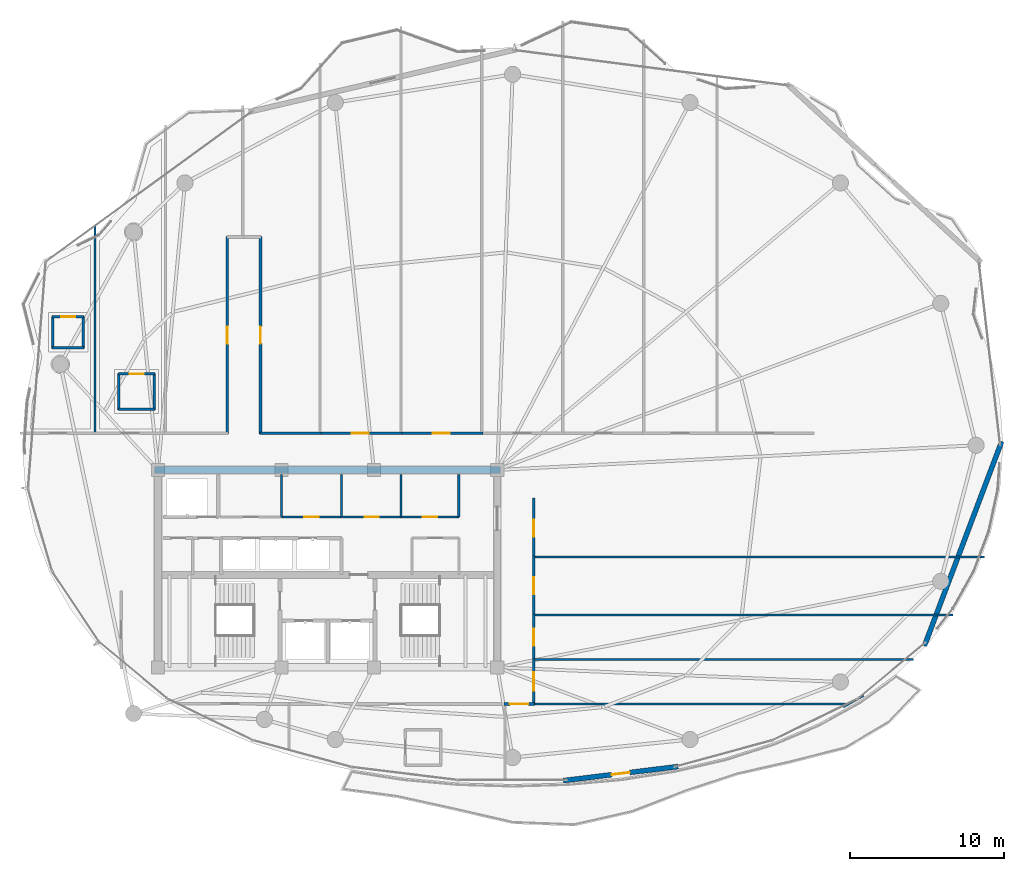
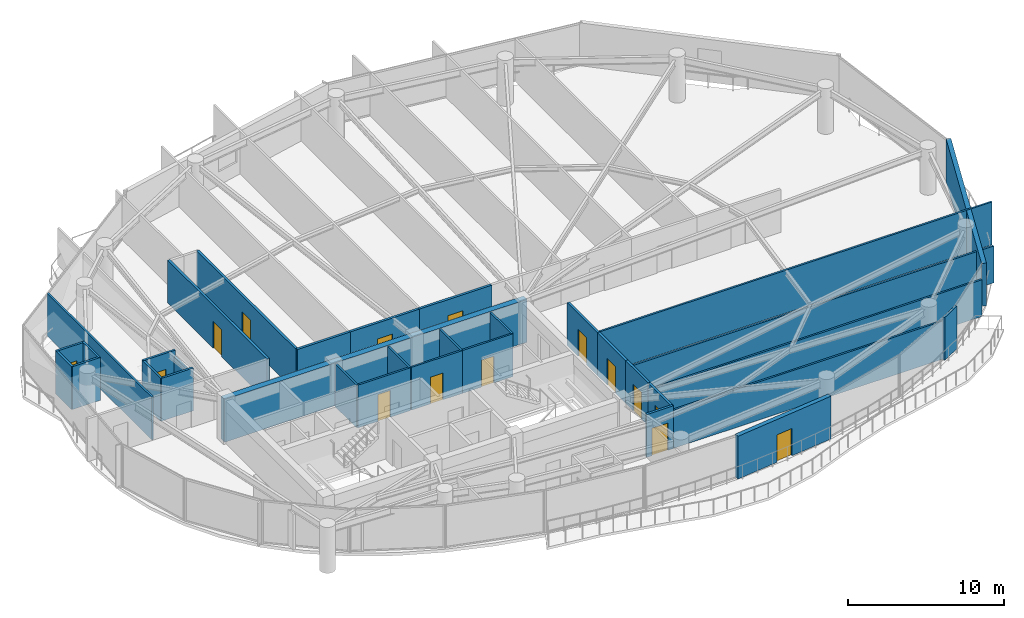
# One storey, part 26 of 31: 34 walls, 15 doors, 15 openings.
"""IFC4 building model written with IfcOpenShell, lengths in metres."""

from ifc_helpers import new_model, si_unit, direction, frame, frame_2d, origin, place, context, subcontext, project, spatial, rectangle, extrude, material, layer, layer_set, type_object, element, fill, save


model = new_model("IFC4")

# Units and contexts
model_context = context("Model", 3, precision=1e-05, world=origin(), true_north=direction((0.0, 1.0)))
body_context = subcontext(model_context, "Body", "Model", "MODEL_VIEW")
ifc_project = project(units=[si_unit("LENGTHUNIT", "METRE"), si_unit("AREAUNIT", "SQUARE_METRE"), si_unit("VOLUMEUNIT", "CUBIC_METRE"), si_unit("PLANEANGLEUNIT", "RADIAN"), si_unit("MASSUNIT", "GRAM", prefix="KILO")], contexts=[model_context])

# Site, building, storey
site_placement = place(None, origin())
site = spatial("IfcSite", under=ifc_project, at=site_placement, CompositionType="ELEMENT")
building_placement = place(site_placement, origin())
building = spatial("IfcBuilding", under=site, at=building_placement, Name="Kazevale Care Tower and Concert Hall", CompositionType="ELEMENT")
storey_placement = place(building_placement, frame((0.0, 0.0, 238.800048828125)))
storey = spatial("IfcBuildingStorey", under=building, at=storey_placement, Name="L63", CompositionType="ELEMENT", Elevation=238.800048828125)

# Wall, opening, door
ifc_material_1 = material(Name="Acoustic Gypsum on Steel Stud", Category="steel")
ifc_layer_1 = layer(ifc_material_1, 0.139892578125)
ifc_layer_set_1 = layer_set([ifc_layer_1], Name="Acoustic Gypsum on Steel Stud")
wall_type_1 = type_object("IfcWallType", Name="Acoustic Care & Suite Partition 140", PredefinedType="PARTITIONING", material=ifc_layer_set_1)
wall_1_placement = place(storey_placement, frame((30.0, 33.35009765625, 0.0), z_axis=(0.0, 0.0, 1.0), x_axis=(1.0, 0.0, 0.0)))
wall_1 = element("IfcWall", 1, at=wall_1_placement, inside=storey, type_object=wall_type_1, Name="wall:L63:c_rpl2_s", PredefinedType="PARTITIONING", context=body_context, shape_type="SweptSolid", body=[
    extrude(rectangle(XDim=3.919921875, YDim=0.139892578125, at=frame_2d((1.9599609375, 0.0))), origin(), (0.0, 0.0, 1.0), 3.35986328125),
])
opening_1_placement = place(wall_1_placement, frame((1.5, 0.0, 0.0)))
opening_1 = element("IfcOpeningElement", 2, at=opening_1_placement, cuts=wall_1, Name="Opening ID-900", PredefinedType="OPENING", context=body_context, shape_type="SweptSolid", body=[
    extrude(rectangle(XDim=0.919921875, YDim=2.10009765625, at=frame_2d((0.4599609375, 1.050048828125))), frame((0.0, 0.079833984375, 0.0), z_axis=(0.0, -1.0, 0.0), x_axis=(1.0, 0.0, 0.0)), (0.0, 0.0, 1.0), 0.159912109375),
])
ifc_material_2 = material(Name="Oak Timber Fire Leaf", Category="wood")
door_type_1 = type_object("IfcDoorType", Name="Bathroom & Service Door 920x2100", OperationType="NOTDEFINED", PredefinedType="DOOR", material=ifc_material_2)
door_1_placement = place(opening_1_placement, origin())
door_1 = element("IfcDoor", 3, at=door_1_placement, inside=storey, type_object=door_type_1, Name="door:L63:d_rpl2", OperationType="SINGLE_SWING_RIGHT", OverallHeight=2.10009765625, OverallWidth=0.919921875, PredefinedType="DOOR", context=body_context, shape_type="SweptSolid", body=[
    extrude(rectangle(XDim=0.919921875, YDim=2.10009765625, at=frame_2d((0.4599609375, 1.050048828125))), frame((0.0, 0.02490234375, 0.0), z_axis=(0.0, -1.0, 0.0), x_axis=(1.0, 0.0, 0.0)), (0.0, 0.0, 1.0), 0.050048828125),
])
fill(opening_1, door_1)

# Walls
for number, where, z_axis, x_axis, name in (
    (4, (30.0, 33.35009765625, 0.0), (0.0, 0.0, 1.0), (0.0, 1.0, 0.0), "wall:L63:c_rpl_m"),
    (5, (33.89990234375, 33.35009765625, 0.0), (0.0, 0.0, 1.0), (0.0, 1.0, 0.0), "wall:L63:c_rpl_e"),
):
    element("IfcWall", number, at=place(storey_placement, frame(where, z_axis=z_axis, x_axis=x_axis)), inside=storey, type_object=wall_type_1, Name=name, PredefinedType="PARTITIONING", context=body_context, shape_type="SweptSolid", body=[
        extrude(rectangle(XDim=2.75, YDim=0.139892578125, at=frame_2d((1.375, 0.0))), origin(), (0.0, 0.0, 1.0), 3.35986328125),
    ])

# Wall, opening, door
wall_2_placement = place(storey_placement, frame((33.97998046875, 33.35009765625, 0.0), z_axis=(0.0, 0.0, 1.0), x_axis=(1.0, 0.0, 0.0)))
wall_2 = element("IfcWall", 6, at=wall_2_placement, inside=storey, type_object=wall_type_1, Name="wall:L63:c_rpm1_s", PredefinedType="PARTITIONING", context=body_context, shape_type="SweptSolid", body=[
    extrude(rectangle(XDim=3.77001953125, YDim=0.139892578125, at=frame_2d((1.885009765625, 0.0))), origin(), (0.0, 0.0, 1.0), 3.35986328125),
])
opening_2_placement = place(wall_2_placement, frame((1.425048828125, 0.0, 0.0)))
opening_2 = element("IfcOpeningElement", 7, at=opening_2_placement, cuts=wall_2, Name="Opening ID-900", PredefinedType="OPENING", context=body_context, shape_type="SweptSolid", body=[
    extrude(rectangle(XDim=0.919921875, YDim=2.10009765625, at=frame_2d((0.4599609375, 1.050048828125))), frame((0.0, 0.079833984375, 0.0), z_axis=(0.0, -1.0, 0.0), x_axis=(1.0, 0.0, 0.0)), (0.0, 0.0, 1.0), 0.159912109375),
])
door_2_placement = place(opening_2_placement, origin())
door_2 = element("IfcDoor", 8, at=door_2_placement, inside=storey, type_object=door_type_1, Name="door:L63:d_rpm1", OperationType="SINGLE_SWING_LEFT", OverallHeight=2.10009765625, OverallWidth=0.919921875, PredefinedType="DOOR", context=body_context, shape_type="SweptSolid", body=[
    extrude(rectangle(XDim=0.919921875, YDim=2.10009765625, at=frame_2d((0.4599609375, 1.050048828125))), frame((0.0, 0.02490234375, 0.0), z_axis=(0.0, -1.0, 0.0), x_axis=(1.0, 0.0, 0.0)), (0.0, 0.0, 1.0), 0.050048828125),
])
fill(opening_2, door_2)

wall_3_placement = place(storey_placement, frame((37.75, 33.35009765625, 0.0), z_axis=(0.0, 0.0, 1.0), x_axis=(1.0, 0.0, 0.0)))
wall_3 = element("IfcWall", 9, at=wall_3_placement, inside=storey, type_object=wall_type_1, Name="wall:L63:c_rpm2_s", PredefinedType="PARTITIONING", context=body_context, shape_type="SweptSolid", body=[
    extrude(rectangle(XDim=3.77001953125, YDim=0.139892578125, at=frame_2d((1.885009765625, 0.0))), origin(), (0.0, 0.0, 1.0), 3.35986328125),
])
opening_3_placement = place(wall_3_placement, frame((1.425048828125, 0.0, 0.0)))
opening_3 = element("IfcOpeningElement", 10, at=opening_3_placement, cuts=wall_3, Name="Opening ID-900", PredefinedType="OPENING", context=body_context, shape_type="SweptSolid", body=[
    extrude(rectangle(XDim=0.919921875, YDim=2.10009765625, at=frame_2d((0.4599609375, 1.050048828125))), frame((0.0, 0.079833984375, 0.0), z_axis=(0.0, -1.0, 0.0), x_axis=(1.0, 0.0, 0.0)), (0.0, 0.0, 1.0), 0.159912109375),
])
door_3_placement = place(opening_3_placement, origin())
door_3 = element("IfcDoor", 11, at=door_3_placement, inside=storey, type_object=door_type_1, Name="door:L63:d_rpm2", OperationType="SINGLE_SWING_RIGHT", OverallHeight=2.10009765625, OverallWidth=0.919921875, PredefinedType="DOOR", context=body_context, shape_type="SweptSolid", body=[
    extrude(rectangle(XDim=0.919921875, YDim=2.10009765625, at=frame_2d((0.4599609375, 1.050048828125))), frame((0.0, 0.02490234375, 0.0), z_axis=(0.0, -1.0, 0.0), x_axis=(1.0, 0.0, 0.0)), (0.0, 0.0, 1.0), 0.050048828125),
])
fill(opening_3, door_3)

# Walls
for number, where, z_axis, x_axis, name in (
    (12, (37.75, 33.35009765625, 0.0), (0.0, 0.0, 1.0), (0.0, 1.0, 0.0), "wall:L63:c_rpm_m"),
    (13, (41.5, 33.35009765625, 0.0), (0.0, 0.0, 1.0), (0.0, 1.0, 0.0), "wall:L63:c_rpm_e"),
):
    element("IfcWall", number, at=place(storey_placement, frame(where, z_axis=z_axis, x_axis=x_axis)), inside=storey, type_object=wall_type_1, Name=name, PredefinedType="PARTITIONING", context=body_context, shape_type="SweptSolid", body=[
        extrude(rectangle(XDim=2.75, YDim=0.139892578125, at=frame_2d((1.375, 0.0))), origin(), (0.0, 0.0, 1.0), 3.35986328125),
    ])
wall_4_placement = place(storey_placement, frame((17.919921875, 52.222412109375, 0.0), z_axis=(0.0, 0.0, 1.0), x_axis=(0.0, -1.0, 0.0)))
element("IfcWall", 14, at=wall_4_placement, inside=storey, type_object=wall_type_1, Name="wall:L63:auto_023", PredefinedType="PARTITIONING", context=body_context, shape_type="SweptSolid", body=[
    extrude(rectangle(XDim=13.477294921875, YDim=0.139892578125, at=frame_2d((6.73876953125, 0.0))), origin(), (0.0, 0.0, 1.0), 3.35986328125),
])
wall_5_placement = place(storey_placement, frame((46.344970703125, 24.110107421875, 0.0), z_axis=(0.0, 0.0, 1.0), x_axis=(1.0, 0.0, 0.0)))
element("IfcWall", 15, at=wall_5_placement, inside=storey, type_object=wall_type_1, Name="wall:L63:auto_032", PredefinedType="PARTITIONING", context=body_context, shape_type="SweptSolid", body=[
    extrude(rectangle(XDim=24.655029296875, YDim=0.139892578125, at=frame_2d((12.32763671875, 0.0))), origin(), (0.0, 0.0, 1.0), 2.889892578125),
])
wall_6_placement = place(storey_placement, frame((66.683837890625, 21.22509765625, 0.0), z_axis=(0.0, 0.0, 1.0), x_axis=(-1.0, 0.0, 0.0)))
element("IfcWall", 16, at=wall_6_placement, inside=storey, type_object=wall_type_1, Name="wall:L63:auto_033", PredefinedType="PARTITIONING", context=body_context, shape_type="SweptSolid", body=[
    extrude(rectangle(XDim=20.3388671875, YDim=0.139892578125, at=frame_2d((10.16943359375, 0.0))), origin(), (0.0, 0.0, 1.0), 2.995849609375),
])
wall_7_placement = place(storey_placement, frame((67.748046875, 21.77001953125, 0.0), z_axis=(0.0, 0.0, 1.0), x_axis=(-0.871352238731, -0.490658003153, 0.0)))
element("IfcWall", 17, at=wall_7_placement, inside=storey, type_object=wall_type_1, Name="wall:L63:auto_034", PredefinedType="PARTITIONING", context=body_context, shape_type="SweptSolid", body=[
    extrude(rectangle(XDim=1.48974609375, YDim=0.139892578125, at=frame_2d((0.744873046875, 0.0))), origin(), (0.0, 0.0, 1.0), 3.35986328125),
])
wall_8_placement = place(storey_placement, frame((46.344970703125, 27.0, 0.0), z_axis=(0.0, 0.0, 1.0), x_axis=(1.0, 0.0, 0.0)))
element("IfcWall", 18, at=wall_8_placement, inside=storey, type_object=wall_type_1, Name="wall:L63:auto_035", PredefinedType="PARTITIONING", context=body_context, shape_type="SweptSolid", body=[
    extrude(rectangle(XDim=27.208984375, YDim=0.139892578125, at=frame_2d((13.6044921875, 0.0))), origin(), (0.0, 0.0, 1.0), 2.889892578125),
])
wall_9_placement = place(storey_placement, frame((46.344970703125, 30.75, 0.0), z_axis=(0.0, 0.0, 1.0), x_axis=(1.0, 0.0, 0.0)))
element("IfcWall", 19, at=wall_9_placement, inside=storey, type_object=wall_type_1, Name="wall:L63:auto_036", PredefinedType="PARTITIONING", context=body_context, shape_type="SweptSolid", body=[
    extrude(rectangle(XDim=29.237060546875, YDim=0.139892578125, at=frame_2d((14.61865234375, 0.0))), origin(), (0.0, 0.0, 1.0), 3.35986328125),
])
ifc_material_3 = material(Name="Concrete C50", Category="concrete")
ifc_layer_2 = layer(ifc_material_3, 0.449951171875)
ifc_layer_set_2 = layer_set([ifc_layer_2], Name="Concrete C50")
wall_type_2 = type_object("IfcWallType", Name="Core Shear Wall 450 C50", PredefinedType="SHEAR", material=ifc_layer_set_2)
wall_10_placement = place(storey_placement, frame((21.77490234375, 36.39990234375, 0.0), z_axis=(0.0, 0.0, 1.0), x_axis=(1.0, 0.0, 0.0)))
element("IfcWall", 20, at=wall_10_placement, inside=storey, type_object=wall_type_2, Name="wall:L63:core:N", PredefinedType="SHEAR", context=body_context, shape_type="SweptSolid", body=[
    extrude(rectangle(XDim=22.4501953125, YDim=0.449951171875, at=frame_2d((11.22509765625, 0.0))), origin(), (0.0, 0.0, 1.0), 3.35986328125),
])

# Wall, opening, door
ifc_material_4 = material(Name="Concrete C40 and Acoustic Gypsum", Category="concrete")
ifc_layer_3 = layer(ifc_material_4, 0.179931640625)
ifc_layer_set_3 = layer_set([ifc_layer_3], Name="Concrete C40 and Acoustic Gypsum")
wall_type_3 = type_object("IfcWallType", Name="Fire-Rated Corridor & Party Wall 180", PredefinedType="PARTITIONING", material=ifc_layer_set_3)
wall_11_placement = place(storey_placement, frame((26.5, 38.7451171875, 0.0), z_axis=(0.0, 0.0, 1.0), x_axis=(0.0, 1.0, 0.0)))
wall_11 = element("IfcWall", 21, at=wall_11_placement, inside=storey, type_object=wall_type_3, Name="wall:L63:auto_003", PredefinedType="PARTITIONING", context=body_context, shape_type="SweptSolid", body=[
    extrude(rectangle(XDim=12.784912109375, YDim=0.179931640625, at=frame_2d((6.392578125, 0.0))), origin(), (0.0, 0.0, 1.0), 3.35986328125),
])
opening_4_placement = place(wall_11_placement, frame((5.843017578125, 0.0, 0.0)))
opening_4 = element("IfcOpeningElement", 22, at=opening_4_placement, cuts=wall_11, Name="Opening ID-1100", PredefinedType="OPENING", context=body_context, shape_type="SweptSolid", body=[
    extrude(rectangle(XDim=1.10009765625, YDim=2.10009765625, at=frame_2d((0.550048828125, 1.050048828125))), frame((0.0, 0.099853515625, 0.0), z_axis=(0.0, -1.0, 0.0), x_axis=(1.0, 0.0, 0.0)), (0.0, 0.0, 1.0), 0.199951171875),
])
door_type_2 = type_object("IfcDoorType", Name="Care Bedroom Accessible Door 1100x2100", OperationType="NOTDEFINED", PredefinedType="DOOR", material=ifc_material_2)
door_4_placement = place(opening_4_placement, origin())
door_4 = element("IfcDoor", 23, at=door_4_placement, inside=storey, type_object=door_type_2, Name="door:L63:ad_003", OperationType="SINGLE_SWING_LEFT", OverallHeight=2.10009765625, OverallWidth=1.10009765625, PredefinedType="DOOR", context=body_context, shape_type="SweptSolid", body=[
    extrude(rectangle(XDim=1.10009765625, YDim=2.10009765625, at=frame_2d((0.550048828125, 1.050048828125))), frame((0.0, 0.02490234375, 0.0), z_axis=(0.0, -1.0, 0.0), x_axis=(1.0, 0.0, 0.0)), (0.0, 0.0, 1.0), 0.050048828125),
])
fill(opening_4, door_4)

wall_12_placement = place(storey_placement, frame((28.64990234375, 51.530029296875, 0.0), z_axis=(0.0, 0.0, 1.0), x_axis=(0.0, -1.0, 0.0)))
wall_12 = element("IfcWall", 24, at=wall_12_placement, inside=storey, type_object=wall_type_3, Name="wall:L63:auto_006", PredefinedType="PARTITIONING", context=body_context, shape_type="SweptSolid", body=[
    extrude(rectangle(XDim=12.784912109375, YDim=0.179931640625, at=frame_2d((6.392578125, 0.0))), origin(), (0.0, 0.0, 1.0), 3.35986328125),
])
opening_5_placement = place(wall_12_placement, frame((5.843017578125, 0.0, 0.0)))
opening_5 = element("IfcOpeningElement", 25, at=opening_5_placement, cuts=wall_12, Name="Opening ID-1100", PredefinedType="OPENING", context=body_context, shape_type="SweptSolid", body=[
    extrude(rectangle(XDim=1.10009765625, YDim=2.10009765625, at=frame_2d((0.550048828125, 1.050048828125))), frame((0.0, 0.099853515625, 0.0), z_axis=(0.0, -1.0, 0.0), x_axis=(1.0, 0.0, 0.0)), (0.0, 0.0, 1.0), 0.199951171875),
])
door_5_placement = place(opening_5_placement, origin())
door_5 = element("IfcDoor", 26, at=door_5_placement, inside=storey, type_object=door_type_2, Name="door:L63:ad_006", OperationType="SINGLE_SWING_LEFT", OverallHeight=2.10009765625, OverallWidth=1.10009765625, PredefinedType="DOOR", context=body_context, shape_type="SweptSolid", body=[
    extrude(rectangle(XDim=1.10009765625, YDim=2.10009765625, at=frame_2d((0.550048828125, 1.050048828125))), frame((0.0, 0.02490234375, 0.0), z_axis=(0.0, -1.0, 0.0), x_axis=(1.0, 0.0, 0.0)), (0.0, 0.0, 1.0), 0.050048828125),
])
fill(opening_5, door_5)

# Wall
wall_13_placement = place(storey_placement, frame((28.6201171875, 38.77490234375, 0.0), z_axis=(0.0, 0.0, 1.0), x_axis=(1.0, 0.0, 0.0)))
element("IfcWall", 27, at=wall_13_placement, inside=storey, type_object=wall_type_3, Name="wall:L63:auto_007", PredefinedType="PARTITIONING", context=body_context, shape_type="SweptSolid", body=[
    extrude(rectangle(XDim=3.94482421875, YDim=0.179931640625, at=frame_2d((1.972412109375, 0.0))), origin(), (0.0, 0.0, 1.0), 3.35986328125),
])

# Wall, opening, door
wall_14_placement = place(storey_placement, frame((32.43505859375, 38.77490234375, 0.0), z_axis=(0.0, 0.0, 1.0), x_axis=(1.0, 0.0, 0.0)))
wall_14 = element("IfcWall", 28, at=wall_14_placement, inside=storey, type_object=wall_type_3, Name="wall:L63:auto_009", PredefinedType="PARTITIONING", context=body_context, shape_type="SweptSolid", body=[
    extrude(rectangle(XDim=5.3798828125, YDim=0.179931640625, at=frame_2d((2.68994140625, 0.0))), origin(), (0.0, 0.0, 1.0), 3.35986328125),
])
opening_6_placement = place(wall_14_placement, frame((2.139892578125, 0.0, 0.0)))
opening_6 = element("IfcOpeningElement", 29, at=opening_6_placement, cuts=wall_14, Name="Opening ID-1100", PredefinedType="OPENING", context=body_context, shape_type="SweptSolid", body=[
    extrude(rectangle(XDim=1.10009765625, YDim=2.10009765625, at=frame_2d((0.550048828125, 1.050048828125))), frame((0.0, 0.099853515625, 0.0), z_axis=(0.0, -1.0, 0.0), x_axis=(1.0, 0.0, 0.0)), (0.0, 0.0, 1.0), 0.199951171875),
])
door_6_placement = place(opening_6_placement, origin())
door_6 = element("IfcDoor", 30, at=door_6_placement, inside=storey, type_object=door_type_2, Name="door:L63:ad_009", OperationType="SINGLE_SWING_LEFT", OverallHeight=2.10009765625, OverallWidth=1.10009765625, PredefinedType="DOOR", context=body_context, shape_type="SweptSolid", body=[
    extrude(rectangle(XDim=1.10009765625, YDim=2.10009765625, at=frame_2d((0.550048828125, 1.050048828125))), frame((0.0, 0.02490234375, 0.0), z_axis=(0.0, -1.0, 0.0), x_axis=(1.0, 0.0, 0.0)), (0.0, 0.0, 1.0), 0.050048828125),
])
fill(opening_6, door_6)

wall_15_placement = place(storey_placement, frame((37.68505859375, 38.77490234375, 0.0), z_axis=(0.0, 0.0, 1.0), x_axis=(1.0, 0.0, 0.0)))
wall_15 = element("IfcWall", 31, at=wall_15_placement, inside=storey, type_object=wall_type_3, Name="wall:L63:auto_010", PredefinedType="PARTITIONING", context=body_context, shape_type="SweptSolid", body=[
    extrude(rectangle(XDim=5.3798828125, YDim=0.179931640625, at=frame_2d((2.68994140625, 0.0))), origin(), (0.0, 0.0, 1.0), 3.35986328125),
])
opening_7_placement = place(wall_15_placement, frame((2.139892578125, 0.0, 0.0)))
opening_7 = element("IfcOpeningElement", 32, at=opening_7_placement, cuts=wall_15, Name="Opening ID-1100", PredefinedType="OPENING", context=body_context, shape_type="SweptSolid", body=[
    extrude(rectangle(XDim=1.10009765625, YDim=2.10009765625, at=frame_2d((0.550048828125, 1.050048828125))), frame((0.0, 0.099853515625, 0.0), z_axis=(0.0, -1.0, 0.0), x_axis=(1.0, 0.0, 0.0)), (0.0, 0.0, 1.0), 0.199951171875),
])
door_7_placement = place(opening_7_placement, origin())
door_7 = element("IfcDoor", 33, at=door_7_placement, inside=storey, type_object=door_type_2, Name="door:L63:ad_010", OperationType="SINGLE_SWING_LEFT", OverallHeight=2.10009765625, OverallWidth=1.10009765625, PredefinedType="DOOR", context=body_context, shape_type="SweptSolid", body=[
    extrude(rectangle(XDim=1.10009765625, YDim=2.10009765625, at=frame_2d((0.550048828125, 1.050048828125))), frame((0.0, 0.02490234375, 0.0), z_axis=(0.0, -1.0, 0.0), x_axis=(1.0, 0.0, 0.0)), (0.0, 0.0, 1.0), 0.050048828125),
])
fill(opening_7, door_7)

wall_16_placement = place(storey_placement, frame((46.375, 24.175048828125, 0.0), z_axis=(0.0, 0.0, 1.0), x_axis=(0.0, -1.0, 0.0)))
wall_16 = element("IfcWall", 34, at=wall_16_placement, inside=storey, type_object=wall_type_3, Name="wall:L63:auto_015", PredefinedType="PARTITIONING", context=body_context, shape_type="SweptSolid", body=[
    extrude(rectangle(XDim=2.97998046875, YDim=0.179931640625, at=frame_2d((1.489990234375, 0.0))), origin(), (0.0, 0.0, 1.0), 3.35986328125),
])
opening_8_placement = place(wall_16_placement, frame((0.889892578125, 0.0, 0.0)))
opening_8 = element("IfcOpeningElement", 35, at=opening_8_placement, cuts=wall_16, Name="Opening ID-1200", PredefinedType="OPENING", context=body_context, shape_type="SweptSolid", body=[
    extrude(rectangle(XDim=1.199951171875, YDim=2.14990234375, at=frame_2d((0.60009765625, 1.074951171875))), frame((0.0, 0.099853515625, 0.0), z_axis=(0.0, -1.0, 0.0), x_axis=(1.0, 0.0, 0.0)), (0.0, 0.0, 1.0), 0.199951171875),
])
door_type_3 = type_object("IfcDoorType", Name="Clinical & Therapy Door 1200x2150", OperationType="NOTDEFINED", PredefinedType="DOOR", material=ifc_material_2)
door_8_placement = place(opening_8_placement, origin())
door_8 = element("IfcDoor", 36, at=door_8_placement, inside=storey, type_object=door_type_3, Name="door:L63:ad_015", OperationType="SINGLE_SWING_LEFT", OverallHeight=2.14990234375, OverallWidth=1.199951171875, PredefinedType="DOOR", context=body_context, shape_type="SweptSolid", body=[
    extrude(rectangle(XDim=1.199951171875, YDim=2.14990234375, at=frame_2d((0.60009765625, 1.074951171875))), frame((0.0, 0.02490234375, 0.0), z_axis=(0.0, -1.0, 0.0), x_axis=(1.0, 0.0, 0.0)), (0.0, 0.0, 1.0), 0.050048828125),
])
fill(opening_8, door_8)

wall_17_placement = place(storey_placement, frame((46.375, 27.06494140625, 0.0), z_axis=(0.0, 0.0, 1.0), x_axis=(0.0, -1.0, 0.0)))
wall_17 = element("IfcWall", 37, at=wall_17_placement, inside=storey, type_object=wall_type_3, Name="wall:L63:auto_016", PredefinedType="PARTITIONING", context=body_context, shape_type="SweptSolid", body=[
    extrude(rectangle(XDim=3.02001953125, YDim=0.179931640625, at=frame_2d((1.510009765625, 0.0))), origin(), (0.0, 0.0, 1.0), 3.35986328125),
])
opening_9_placement = place(wall_17_placement, frame((0.9599609375, 0.0, 0.0)))
opening_9 = element("IfcOpeningElement", 38, at=opening_9_placement, cuts=wall_17, Name="Opening ID-1100", PredefinedType="OPENING", context=body_context, shape_type="SweptSolid", body=[
    extrude(rectangle(XDim=1.10009765625, YDim=2.10009765625, at=frame_2d((0.550048828125, 1.050048828125))), frame((0.0, 0.099853515625, 0.0), z_axis=(0.0, -1.0, 0.0), x_axis=(1.0, 0.0, 0.0)), (0.0, 0.0, 1.0), 0.199951171875),
])
door_9_placement = place(opening_9_placement, origin())
door_9 = element("IfcDoor", 39, at=door_9_placement, inside=storey, type_object=door_type_2, Name="door:L63:ad_016", OperationType="SINGLE_SWING_LEFT", OverallHeight=2.10009765625, OverallWidth=1.10009765625, PredefinedType="DOOR", context=body_context, shape_type="SweptSolid", body=[
    extrude(rectangle(XDim=1.10009765625, YDim=2.10009765625, at=frame_2d((0.550048828125, 1.050048828125))), frame((0.0, 0.02490234375, 0.0), z_axis=(0.0, -1.0, 0.0), x_axis=(1.0, 0.0, 0.0)), (0.0, 0.0, 1.0), 0.050048828125),
])
fill(opening_9, door_9)

wall_18_placement = place(storey_placement, frame((46.375, 30.81494140625, 0.0), z_axis=(0.0, 0.0, 1.0), x_axis=(0.0, -1.0, 0.0)))
wall_18 = element("IfcWall", 40, at=wall_18_placement, inside=storey, type_object=wall_type_3, Name="wall:L63:auto_017", PredefinedType="PARTITIONING", context=body_context, shape_type="SweptSolid", body=[
    extrude(rectangle(XDim=3.8798828125, YDim=0.179931640625, at=frame_2d((1.93994140625, 0.0))), origin(), (0.0, 0.0, 1.0), 3.35986328125),
])
opening_10_placement = place(wall_18_placement, frame((1.389892578125, 0.0, 0.0)))
opening_10 = element("IfcOpeningElement", 41, at=opening_10_placement, cuts=wall_18, Name="Opening ID-1100", PredefinedType="OPENING", context=body_context, shape_type="SweptSolid", body=[
    extrude(rectangle(XDim=1.10009765625, YDim=2.10009765625, at=frame_2d((0.550048828125, 1.050048828125))), frame((0.0, 0.099853515625, 0.0), z_axis=(0.0, -1.0, 0.0), x_axis=(1.0, 0.0, 0.0)), (0.0, 0.0, 1.0), 0.199951171875),
])
door_10_placement = place(opening_10_placement, origin())
door_10 = element("IfcDoor", 42, at=door_10_placement, inside=storey, type_object=door_type_2, Name="door:L63:ad_017", OperationType="SINGLE_SWING_LEFT", OverallHeight=2.10009765625, OverallWidth=1.10009765625, PredefinedType="DOOR", context=body_context, shape_type="SweptSolid", body=[
    extrude(rectangle(XDim=1.10009765625, YDim=2.10009765625, at=frame_2d((0.550048828125, 1.050048828125))), frame((0.0, 0.02490234375, 0.0), z_axis=(0.0, -1.0, 0.0), x_axis=(1.0, 0.0, 0.0)), (0.0, 0.0, 1.0), 0.050048828125),
])
fill(opening_10, door_10)

wall_19_placement = place(storey_placement, frame((46.375, 34.56494140625, 0.0), z_axis=(0.0, 0.0, 1.0), x_axis=(0.0, -1.0, 0.0)))
wall_19 = element("IfcWall", 43, at=wall_19_placement, inside=storey, type_object=wall_type_3, Name="wall:L63:auto_018", PredefinedType="PARTITIONING", context=body_context, shape_type="SweptSolid", body=[
    extrude(rectangle(XDim=3.8798828125, YDim=0.179931640625, at=frame_2d((1.93994140625, 0.0))), origin(), (0.0, 0.0, 1.0), 3.35986328125),
])
opening_11_placement = place(wall_19_placement, frame((1.389892578125, 0.0, 0.0)))
opening_11 = element("IfcOpeningElement", 44, at=opening_11_placement, cuts=wall_19, Name="Opening ID-1100", PredefinedType="OPENING", context=body_context, shape_type="SweptSolid", body=[
    extrude(rectangle(XDim=1.10009765625, YDim=2.10009765625, at=frame_2d((0.550048828125, 1.050048828125))), frame((0.0, 0.099853515625, 0.0), z_axis=(0.0, -1.0, 0.0), x_axis=(1.0, 0.0, 0.0)), (0.0, 0.0, 1.0), 0.199951171875),
])
door_11_placement = place(opening_11_placement, origin())
door_11 = element("IfcDoor", 45, at=door_11_placement, inside=storey, type_object=door_type_2, Name="door:L63:ad_018", OperationType="SINGLE_SWING_LEFT", OverallHeight=2.10009765625, OverallWidth=1.10009765625, PredefinedType="DOOR", context=body_context, shape_type="SweptSolid", body=[
    extrude(rectangle(XDim=1.10009765625, YDim=2.10009765625, at=frame_2d((0.550048828125, 1.050048828125))), frame((0.0, 0.02490234375, 0.0), z_axis=(0.0, -1.0, 0.0), x_axis=(1.0, 0.0, 0.0)), (0.0, 0.0, 1.0), 0.050048828125),
])
fill(opening_11, door_11)

wall_20_placement = place(storey_placement, frame((46.405029296875, 21.22509765625, 0.0), z_axis=(0.0, 0.0, 1.0), x_axis=(-1.0, 0.0, 0.0)))
wall_20 = element("IfcWall", 46, at=wall_20_placement, inside=storey, type_object=wall_type_3, Name="wall:L63:auto_021", PredefinedType="PARTITIONING", context=body_context, shape_type="SweptSolid", body=[
    extrude(rectangle(XDim=1.969970703125, YDim=0.179931640625, at=frame_2d((0.98486328125, 0.0))), origin(), (0.0, 0.0, 1.0), 3.35986328125),
])
opening_12_placement = place(wall_20_placement, frame((0.385009765625, 0.0, 0.0)))
opening_12 = element("IfcOpeningElement", 47, at=opening_12_placement, cuts=wall_20, Name="Opening ID-1200", PredefinedType="OPENING", context=body_context, shape_type="SweptSolid", body=[
    extrude(rectangle(XDim=1.199951171875, YDim=2.14990234375, at=frame_2d((0.60009765625, 1.074951171875))), frame((0.0, 0.099853515625, 0.0), z_axis=(0.0, -1.0, 0.0), x_axis=(1.0, 0.0, 0.0)), (0.0, 0.0, 1.0), 0.199951171875),
])
door_12_placement = place(opening_12_placement, origin())
door_12 = element("IfcDoor", 48, at=door_12_placement, inside=storey, type_object=door_type_3, Name="door:L63:ad_021", OperationType="SINGLE_SWING_LEFT", OverallHeight=2.14990234375, OverallWidth=1.199951171875, PredefinedType="DOOR", context=body_context, shape_type="SweptSolid", body=[
    extrude(rectangle(XDim=1.199951171875, YDim=2.14990234375, at=frame_2d((0.60009765625, 1.074951171875))), frame((0.0, 0.02490234375, 0.0), z_axis=(0.0, -1.0, 0.0), x_axis=(1.0, 0.0, 0.0)), (0.0, 0.0, 1.0), 0.050048828125),
])
fill(opening_12, door_12)

# Wall
ifc_layer_4 = layer(ifc_material_1, 0.159912109375)
ifc_layer_set_4 = layer_set([ifc_layer_4], Name="Acoustic Gypsum on Steel Stud")
wall_type_4 = type_object("IfcWallType", Name="Moisture-Resistant Bathroom Plumbing Wall 160", PredefinedType="PLUMBINGWALL", material=ifc_layer_set_4)
wall_21_placement = place(storey_placement, frame((15.1279296875, 44.324951171875, 0.0), z_axis=(0.0, 0.0, 1.0), x_axis=(1.0, 0.0, 0.0)))
element("IfcWall", 49, at=wall_21_placement, inside=storey, type_object=wall_type_4, Name="wall:L63:nb1a_ens_ws", PredefinedType="PLUMBINGWALL", context=body_context, shape_type="SweptSolid", body=[
    extrude(rectangle(XDim=2.080078125, YDim=0.159912109375, at=frame_2d((1.0400390625, 0.0))), origin(), (0.0, 0.0, 1.0), 3.35986328125),
])

# Wall, opening, door
wall_22_placement = place(storey_placement, frame((15.1279296875, 46.324951171875, 0.0), z_axis=(0.0, 0.0, 1.0), x_axis=(1.0, 0.0, 0.0)))
wall_22 = element("IfcWall", 50, at=wall_22_placement, inside=storey, type_object=wall_type_4, Name="wall:L63:nb1a_ens_wn", PredefinedType="PLUMBINGWALL", context=body_context, shape_type="SweptSolid", body=[
    extrude(rectangle(XDim=2.080078125, YDim=0.159912109375, at=frame_2d((1.0400390625, 0.0))), origin(), (0.0, 0.0, 1.0), 3.35986328125),
])
opening_13_placement = place(wall_22_placement, frame((0.590087890625, 0.0, 0.0)))
opening_13 = element("IfcOpeningElement", 51, at=opening_13_placement, cuts=wall_22, Name="Opening ID-900", PredefinedType="OPENING", context=body_context, shape_type="SweptSolid", body=[
    extrude(rectangle(XDim=0.919921875, YDim=2.10009765625, at=frame_2d((0.4599609375, 1.050048828125))), frame((0.0, 0.08984375, 0.0), z_axis=(0.0, -1.0, 0.0), x_axis=(1.0, 0.0, 0.0)), (0.0, 0.0, 1.0), 0.179931640625),
])
door_13_placement = place(opening_13_placement, origin())
door_13 = element("IfcDoor", 52, at=door_13_placement, inside=storey, type_object=door_type_1, Name="door:L63:nb1a_ens_d", OperationType="SINGLE_SWING_LEFT", OverallHeight=2.10009765625, OverallWidth=0.919921875, PredefinedType="DOOR", context=body_context, shape_type="SweptSolid", body=[
    extrude(rectangle(XDim=0.919921875, YDim=2.10009765625, at=frame_2d((0.4599609375, 1.050048828125))), frame((0.0, 0.02490234375, 0.0), z_axis=(0.0, -1.0, 0.0), x_axis=(1.0, 0.0, 0.0)), (0.0, 0.0, 1.0), 0.050048828125),
])
fill(opening_13, door_13)

# Walls
for number, where, z_axis, x_axis, name in (
    (53, (15.16796875, 44.284912109375, 0.0), (0.0, 0.0, 1.0), (0.0, 1.0, 0.0), "wall:L63:nb1a_ens_ww"),
    (54, (17.16796875, 44.284912109375, 0.0), (0.0, 0.0, 1.0), (0.0, 1.0, 0.0), "wall:L63:nb1a_ens_we"),
):
    element("IfcWall", number, at=place(storey_placement, frame(where, z_axis=z_axis, x_axis=x_axis)), inside=storey, type_object=wall_type_4, Name=name, PredefinedType="PLUMBINGWALL", context=body_context, shape_type="SweptSolid", body=[
        extrude(rectangle(XDim=2.080078125, YDim=0.159912109375, at=frame_2d((1.0400390625, 0.0))), origin(), (0.0, 0.0, 1.0), 3.35986328125),
    ])
wall_23_placement = place(storey_placement, frame((19.429931640625, 40.324951171875, 0.0), z_axis=(0.0, 0.0, 1.0), x_axis=(1.0, 0.0, 0.0)))
element("IfcWall", 55, at=wall_23_placement, inside=storey, type_object=wall_type_4, Name="wall:L63:nb1b_ens_ws", PredefinedType="PLUMBINGWALL", context=body_context, shape_type="SweptSolid", body=[
    extrude(rectangle(XDim=2.380126953125, YDim=0.159912109375, at=frame_2d((1.18994140625, 0.0))), origin(), (0.0, 0.0, 1.0), 3.35986328125),
])

# Wall, opening, door
wall_24_placement = place(storey_placement, frame((19.429931640625, 42.625, 0.0), z_axis=(0.0, 0.0, 1.0), x_axis=(1.0, 0.0, 0.0)))
wall_24 = element("IfcWall", 56, at=wall_24_placement, inside=storey, type_object=wall_type_4, Name="wall:L63:nb1b_ens_wn", PredefinedType="PLUMBINGWALL", context=body_context, shape_type="SweptSolid", body=[
    extrude(rectangle(XDim=2.380126953125, YDim=0.159912109375, at=frame_2d((1.18994140625, 0.0))), origin(), (0.0, 0.0, 1.0), 3.35986328125),
])
opening_14_placement = place(wall_24_placement, frame((0.739990234375, 0.0, 0.0)))
opening_14 = element("IfcOpeningElement", 57, at=opening_14_placement, cuts=wall_24, Name="Opening ID-900", PredefinedType="OPENING", context=body_context, shape_type="SweptSolid", body=[
    extrude(rectangle(XDim=0.919921875, YDim=2.10009765625, at=frame_2d((0.4599609375, 1.050048828125))), frame((0.0, 0.08984375, 0.0), z_axis=(0.0, -1.0, 0.0), x_axis=(1.0, 0.0, 0.0)), (0.0, 0.0, 1.0), 0.179931640625),
])
door_14_placement = place(opening_14_placement, origin())
door_14 = element("IfcDoor", 58, at=door_14_placement, inside=storey, type_object=door_type_1, Name="door:L63:nb1b_ens_d", OperationType="SINGLE_SWING_RIGHT", OverallHeight=2.10009765625, OverallWidth=0.919921875, PredefinedType="DOOR", context=body_context, shape_type="SweptSolid", body=[
    extrude(rectangle(XDim=0.919921875, YDim=2.10009765625, at=frame_2d((0.4599609375, 1.050048828125))), frame((0.0, 0.02490234375, 0.0), z_axis=(0.0, -1.0, 0.0), x_axis=(1.0, 0.0, 0.0)), (0.0, 0.0, 1.0), 0.050048828125),
])
fill(opening_14, door_14)

# Walls
wall_25_placement = place(storey_placement, frame((19.469970703125, 40.284912109375, 0.0), z_axis=(0.0, 0.0, 1.0), x_axis=(0.0, 1.0, 0.0)))
element("IfcWall", 59, at=wall_25_placement, inside=storey, type_object=wall_type_4, Name="wall:L63:nb1b_ens_ww", PredefinedType="PLUMBINGWALL", context=body_context, shape_type="SweptSolid", body=[
    extrude(rectangle(XDim=2.380126953125, YDim=0.159912109375, at=frame_2d((1.18994140625, 0.0))), origin(), (0.0, 0.0, 1.0), 3.35986328125),
])
wall_26_placement = place(storey_placement, frame((21.77001953125, 40.284912109375, 0.0), z_axis=(0.0, 0.0, 1.0), x_axis=(0.0, 1.0, 0.0)))
element("IfcWall", 60, at=wall_26_placement, inside=storey, type_object=wall_type_4, Name="wall:L63:nb1b_ens_we", PredefinedType="PLUMBINGWALL", context=body_context, shape_type="SweptSolid", body=[
    extrude(rectangle(XDim=2.380126953125, YDim=0.159912109375, at=frame_2d((1.18994140625, 0.0))), origin(), (0.0, 0.0, 1.0), 2.889892578125),
])
ifc_material_5 = material(Name="Concrete C40 with Honed Limestone Cladding", Category="masonry")
ifc_layer_5 = layer(ifc_material_5, 0.320068359375)
ifc_layer_set_5 = layer_set([ifc_layer_5], Name="Concrete C40 with Honed Limestone Cladding")
wall_type_5 = type_object("IfcWallType", Name="Tower Honed Limestone Spandrel Wall 320", PredefinedType="STANDARD", material=ifc_layer_set_5)
wall_27_placement = place(storey_placement, frame((76.7119140625, 38.242919921875, 0.0), z_axis=(0.0, 0.0, 1.0), x_axis=(-0.353659523244, -0.935374225441, 0.0)))
element("IfcWall", 61, at=wall_27_placement, inside=storey, type_object=wall_type_5, Name="wall:cw:L63:f01", PredefinedType="STANDARD", context=body_context, shape_type="SweptSolid", body=[
    extrude(rectangle(XDim=14.171630859375, YDim=0.320068359375, at=frame_2d((7.0859375, 0.0))), origin(), (0.0, 0.0, 1.0), 3.35986328125),
])

# Wall, opening, door
wall_28_placement = place(storey_placement, frame((55.72705078125, 17.1650390625, 0.0), z_axis=(0.0, 0.0, 1.0), x_axis=(-0.992559081031, -0.121763995755, 0.0)))
wall_28 = element("IfcWall", 62, at=wall_28_placement, inside=storey, type_object=wall_type_5, Name="wall:L63:bal_host", PredefinedType="STANDARD", context=body_context, shape_type="SweptSolid", body=[
    extrude(rectangle(XDim=7.49072265625, YDim=0.320068359375, at=frame_2d((3.745361328125, 0.0))), origin(), (0.0, 0.0, 1.0), 3.35986328125),
])
opening_15_placement = place(wall_28_placement, frame((3.14501953125, 0.0, 0.0)))
opening_15 = element("IfcOpeningElement", 63, at=opening_15_placement, cuts=wall_28, Name="Opening BD-1200", PredefinedType="OPENING", context=body_context, shape_type="SweptSolid", body=[
    extrude(rectangle(XDim=1.199951171875, YDim=2.14990234375, at=frame_2d((0.60009765625, 1.074951171875))), frame((0.0, 0.169921875, 0.0), z_axis=(0.0, -1.0, 0.0), x_axis=(1.0, 0.0, 0.0)), (0.0, 0.0, 1.0), 0.340087890625),
])
ifc_material_6 = material(Name="Aluminium 6063-T6 and Low-E Glass", Category="aluminium")
door_type_4 = type_object("IfcDoorType", Name="Sheltered Balcony Glazed Door 1200x2150", OperationType="NOTDEFINED", PredefinedType="DOOR", material=ifc_material_6)
door_15_placement = place(opening_15_placement, origin())
door_15 = element("IfcDoor", 64, at=door_15_placement, inside=storey, type_object=door_type_4, Name="door:L63:BD-1", OperationType="SINGLE_SWING_LEFT", OverallHeight=2.14990234375, OverallWidth=1.199951171875, PredefinedType="DOOR", context=body_context, shape_type="SweptSolid", body=[
    extrude(rectangle(XDim=1.199951171875, YDim=2.14990234375, at=frame_2d((0.60009765625, 1.074951171875))), frame((0.0, 0.02490234375, 0.0), z_axis=(0.0, -1.0, 0.0), x_axis=(1.0, 0.0, 0.0)), (0.0, 0.0, 1.0), 0.050048828125),
])
fill(opening_15, door_15)

save(model, "model.ifc")
